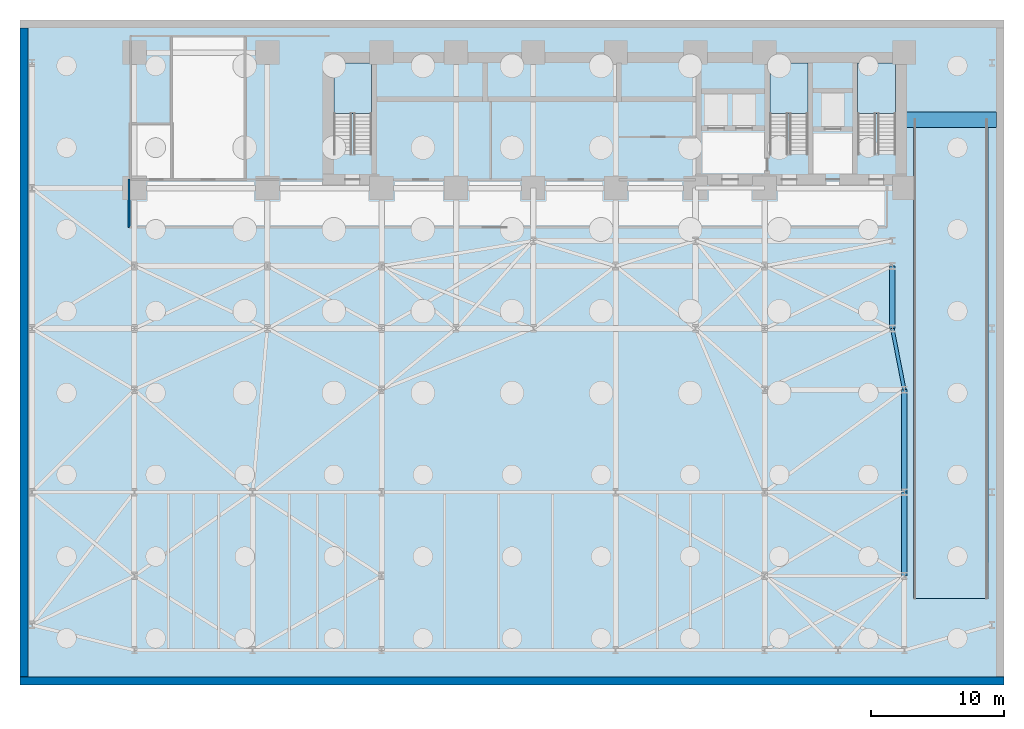
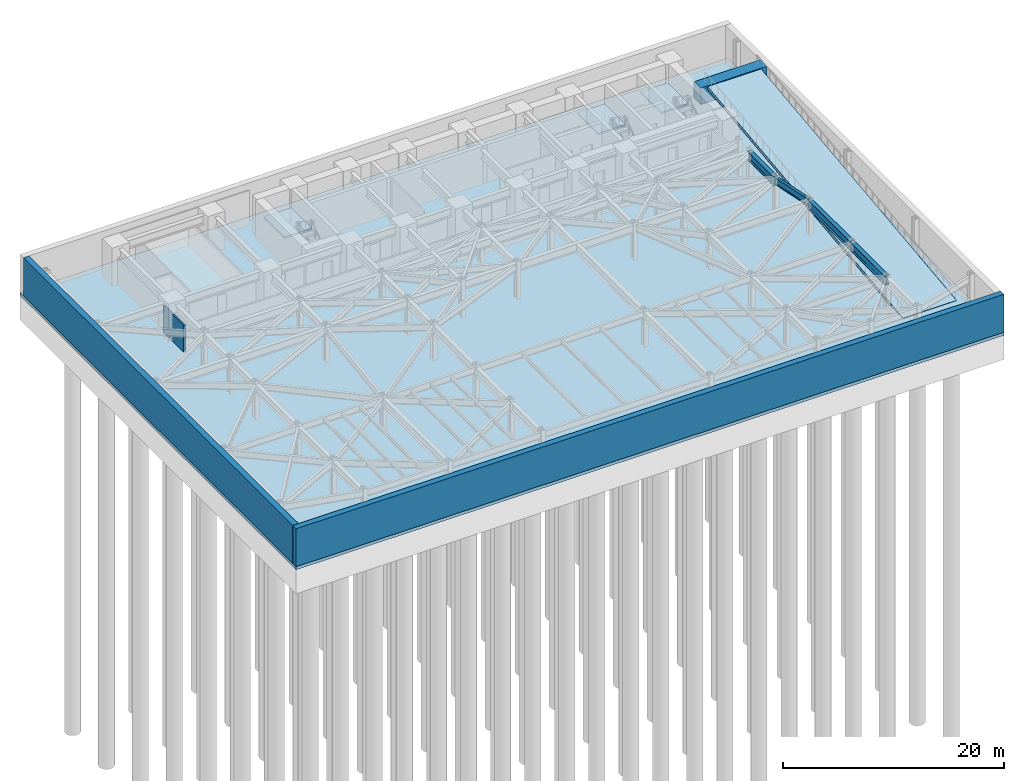
# One storey, part 4 of 12: 5 beams, 5 slabs, 3 walls, 3 elements without a shape of their own.
"""IFC4 building model written with IfcOpenShell, lengths in metres."""

from ifc_helpers import new_model, si_unit, direction, frame, frame_2d, origin, origin_2d, place, context, subcontext, project, spatial, polyline, rectangle, i_section, outline, extrude, material, layer, layer_set, material_profile, profile_set, type_object, element, aggregate, save


model = new_model("IFC4")

# Units and contexts
model_context = context("Model", 3, precision=1e-05, world=origin(), true_north=direction((0.0, 1.0)))
body_context = subcontext(model_context, "Body", "Model", "MODEL_VIEW")
ifc_project = project(units=[si_unit("LENGTHUNIT", "METRE"), si_unit("AREAUNIT", "SQUARE_METRE"), si_unit("VOLUMEUNIT", "CUBIC_METRE"), si_unit("PLANEANGLEUNIT", "RADIAN"), si_unit("MASSUNIT", "GRAM", prefix="KILO")], contexts=[model_context])

# Site, building, storey
site_placement = place(None, origin())
site = spatial("IfcSite", under=ifc_project, at=site_placement, CompositionType="ELEMENT")
building_placement = place(site_placement, origin())
building = spatial("IfcBuilding", under=site, at=building_placement, Name="Kravanh Interchange Tower", CompositionType="ELEMENT")
storey_placement = place(building_placement, frame((0.0, 0.0, -8.39990234375)))
storey = spatial("IfcBuildingStorey", under=building, at=storey_placement, Name="B2", CompositionType="ELEMENT", Elevation=-8.39990234375)

# Beams
ifc_material_1 = material(Name="Structural Steel S450", Category="steel")
ifc_material_profile_1 = material_profile(ifc_material_1, i_section(OverallWidth=0.423095703125, OverallDepth=0.947998046875, WebThickness=0.02392578125, FlangeThickness=0.042724609375, FilletRadius=0.028076171875, at=origin_2d()), Name="W36X302")
ifc_profile_set_1 = profile_set([ifc_material_profile_1], Name="Structural Steel S450")
beam_type_1 = type_object("IfcBeamType", Name="Floor Beam W36X302 Structural Steel S450", PredefinedType="BEAM", material=ifc_profile_set_1)
beam_1_placement = place(storey_placement, frame((66.5, 8.199951171875, 3.42578125), z_axis=(0.0, 1.0, 0.0), x_axis=(-1.0, 0.0, 0.0)))
element("IfcBeam", 1, at=beam_1_placement, inside=storey, type_object=beam_type_1, Name="B2 Primary Floor Girder 33", PredefinedType="BEAM", context=body_context, shape_type="SweptSolid", body=[
    extrude(i_section(OverallWidth=0.423095703125, OverallDepth=0.947998046875, WebThickness=0.02392578125, FlangeThickness=0.042724609375, FilletRadius=0.028076171875, at=origin_2d()), origin(), (0.0, 0.0, 1.0), 6.300048828125),
])
beam_2_placement = place(storey_placement, frame((66.5, 14.5, 3.42578125), z_axis=(0.0, 1.0, 0.0), x_axis=(-1.0, 0.0, 0.0)))
element("IfcBeam", 2, at=beam_2_placement, inside=storey, type_object=beam_type_1, Name="B2 Primary Floor Girder 54", PredefinedType="BEAM", context=body_context, shape_type="SweptSolid", body=[
    extrude(i_section(OverallWidth=0.423095703125, OverallDepth=0.947998046875, WebThickness=0.02392578125, FlangeThickness=0.042724609375, FilletRadius=0.028076171875, at=origin_2d()), origin(), (0.0, 0.0, 1.0), 7.699951171875),
])
beam_3_placement = place(storey_placement, frame((65.60009765625, 26.800048828125, 3.42578125), z_axis=(0.0, 1.0, 0.0), x_axis=(-1.0, 0.0, 0.0)))
element("IfcBeam", 3, at=beam_3_placement, inside=storey, type_object=beam_type_1, Name="B2 Primary Floor Girder 101", PredefinedType="BEAM", context=body_context, shape_type="SweptSolid", body=[
    extrude(i_section(OverallWidth=0.423095703125, OverallDepth=0.947998046875, WebThickness=0.02392578125, FlangeThickness=0.042724609375, FilletRadius=0.028076171875, at=origin_2d()), origin(), (0.0, 0.0, 1.0), 4.699951171875),
])
ifc_material_2 = material(Name="Structural Steel S355", Category="steel")
ifc_material_profile_2 = material_profile(ifc_material_2, i_section(OverallWidth=0.26708984375, OverallDepth=0.761962890625, WebThickness=0.014404296875, FlangeThickness=0.021484375, FilletRadius=0.02490234375, at=origin_2d()), Name="W30X116")
ifc_profile_set_2 = profile_set([ifc_material_profile_2], Name="Structural Steel S355")
beam_type_2 = type_object("IfcBeamType", Name="Floor Spandrel W30X116 Structural Steel S355", PredefinedType="SPANDREL", material=ifc_profile_set_2)
beam_4_placement = place(storey_placement, frame((66.5, 22.199951171875, 3.518798828125), z_axis=(-0.191987614224, 0.981397348674, 0.0), x_axis=(-0.981397348674, -0.191987614224, 0.0)))
element("IfcBeam", 4, at=beam_4_placement, inside=storey, type_object=beam_type_2, Name="B2 Perimeter Spandrel 69", PredefinedType="SPANDREL", context=body_context, shape_type="SweptSolid", body=[
    extrude(i_section(OverallWidth=0.26708984375, OverallDepth=0.761962890625, WebThickness=0.014404296875, FlangeThickness=0.021484375, FilletRadius=0.02490234375, at=origin_2d()), origin(), (0.0, 0.0, 1.0), 4.687255859375),
])
ifc_material_3 = material(Name="Concrete C70/85", Category="concrete")
ifc_material_profile_3 = material_profile(ifc_material_3, rectangle(XDim=1.199951171875, YDim=1.800048828125, at=origin_2d()), Name="TG1200X1800")
ifc_profile_set_3 = profile_set([ifc_material_profile_3], Name="Concrete C70/85")
beam_type_3 = type_object("IfcBeamType", Name="Transfer Girder TG1200X1800 Concrete C70/85", PredefinedType="BEAM", material=ifc_profile_set_3)
beam_5_placement = place(storey_placement, frame((66.5, 42.5, 3.2998046875), z_axis=(1.0, 0.0, 0.0), x_axis=(0.0, 1.0, 0.0)))
element("IfcBeam", 5, at=beam_5_placement, inside=storey, type_object=beam_type_3, Name="B1 Vehicle Ramp R1 Arrival Support Beam", PredefinedType="BEAM", context=body_context, shape_type="SweptSolid", body=[
    extrude(rectangle(XDim=1.199951171875, YDim=1.800048828125, at=origin_2d()), origin(), (0.0, 0.0, 1.0), 6.919921875),
])

# Slab
ifc_material_4 = material(Name="Concrete C60/75", Category="concrete")
ifc_layer_1 = layer(ifc_material_4, 0.35009765625)
ifc_layer_set_1 = layer_set([ifc_layer_1], Name="Basement Base Slab Concrete C60/75 350mm")
slab_type_1 = type_object("IfcSlabType", Name="Basement Base Slab Concrete C60/75 350mm", PredefinedType="BASESLAB", material=ifc_layer_set_1)
slab_1_placement = place(storey_placement, frame((0.0, 0.0, -0.35009765625)))
element("IfcSlab", 6, at=slab_1_placement, inside=storey, type_object=slab_type_1, Name="B2 Structural Floor Slab", PredefinedType="BASESLAB", context=body_context, shape_type="SweptSolid", body=[
    extrude(outline(polyline([(0.0, 0.0), (74.0, 0.0), (74.0, 50.0), (0.0, 50.0), (0.0, 0.0)]), holes=[polyline([(67.179931640625, 6.47998046875), (72.820068359375, 6.47998046875), (72.820068359375, 9.199951171875), (67.179931640625, 9.199951171875), (67.179931640625, 6.47998046875)])]), origin(), (0.0, 0.0, 1.0), 0.35009765625),
])

# Stair, slab
ifc_material_5 = material(Name="Concrete C50/60", Category="concrete")
stair_type = type_object("IfcStairType", Name="Core Fire Exit Dogleg Stair Concrete C50/60", PredefinedType="HALF_TURN_STAIR", material=ifc_material_5)
stair_1_placement = place(storey_placement, origin())
stair_1 = element("IfcStair", 7, at=stair_1_placement, inside=storey, type_object=stair_type, Name="B2 Exit Stair ST1", PredefinedType="HALF_TURN_STAIR")
ifc_material_6 = material(Name="Concrete C50/60", Category="concrete")
ifc_layer_2 = layer(ifc_material_6, 0.199951171875)
ifc_layer_set_2 = layer_set([ifc_layer_2], Name="Concrete C50/60 Stair Half-Landing Slab 200mm")
slab_type_2 = type_object("IfcSlabType", Name="Concrete C50/60 Stair Half-Landing Slab 200mm", PredefinedType="LANDING", material=ifc_layer_set_2)
slab_2_placement = place(storey_placement, frame((0.0, 0.0, 1.89990234375)))
slab_2 = element("IfcSlab", 8, at=slab_2_placement, type_object=slab_type_2, Name="ST1 landing 1", PredefinedType="LANDING", context=body_context, shape_type="SweptSolid", body=[
    extrude(outline(polyline([(65.85009765625, 42.97998046875), (65.85009765625, 46.75), (63.0, 46.75), (63.0, 42.97998046875), (65.85009765625, 42.97998046875)])), origin(), (0.0, 0.0, 1.0), 0.199951171875),
])
aggregate(stair_1, [slab_2])

stair_2_placement = place(storey_placement, origin())
stair_2 = element("IfcStair", 9, at=stair_2_placement, inside=storey, type_object=stair_type, Name="B2 Exit Stair ST2", PredefinedType="HALF_TURN_STAIR")
slab_3_placement = place(storey_placement, frame((0.0, 0.0, 1.89990234375)))
slab_3 = element("IfcSlab", 10, at=slab_3_placement, type_object=slab_type_2, Name="ST2 landing 1", PredefinedType="LANDING", context=body_context, shape_type="SweptSolid", body=[
    extrude(outline(polyline([(59.25, 42.97998046875), (59.25, 46.75), (56.39990234375, 46.75), (56.39990234375, 42.97998046875), (59.25, 42.97998046875)])), origin(), (0.0, 0.0, 1.0), 0.199951171875),
])
aggregate(stair_2, [slab_3])

stair_3_placement = place(storey_placement, origin())
stair_3 = element("IfcStair", 11, at=stair_3_placement, inside=storey, type_object=stair_type, Name="B2 Exit Stair ST3", PredefinedType="HALF_TURN_STAIR")
slab_4_placement = place(storey_placement, frame((0.0, 0.0, 1.89990234375)))
slab_4 = element("IfcSlab", 12, at=slab_4_placement, type_object=slab_type_2, Name="ST3 landing 1", PredefinedType="LANDING", context=body_context, shape_type="SweptSolid", body=[
    extrude(outline(polyline([(26.449951171875, 42.97998046875), (26.449951171875, 46.75), (23.60009765625, 46.75), (23.60009765625, 42.97998046875), (26.449951171875, 42.97998046875)])), origin(), (0.0, 0.0, 1.0), 0.199951171875),
])
aggregate(stair_3, [slab_4])

# Slab
ifc_material_7 = material(Name="Concrete C50/60", Category="concrete")
ifc_layer_3 = layer(ifc_material_7, 0.300048828125)
ifc_layer_set_3 = layer_set([ifc_layer_3], Name="Vehicle Ramp Structural Slab Concrete C50/60 300mm")
slab_type_3 = type_object("IfcSlabType", Name="Vehicle Ramp Structural Slab Concrete C50/60 300mm", PredefinedType="FLOOR", material=ifc_layer_set_3)
slab_5_placement = place(storey_placement, frame((67.199951171875, 6.5, 0.0), z_axis=(0.0, -0.115879370451, 0.993263294149), x_axis=(1.0, 0.0, 0.0)))
element("IfcSlab", 13, at=slab_5_placement, inside=storey, type_object=slab_type_3, Name="Car park vehicle ramp R1 structural slab (B2 to B1)", PredefinedType="FLOOR", context=body_context, shape_type="SweptSolid", body=[
    extrude(outline(polyline([(0.0, 0.0), (5.60009765625, 0.0), (5.60009765625, 36.24416628708866), (0.0, 36.24416628708866), (0.0, 0.0)])), origin(), (0.0, 0.0, -1.0), 0.300048828125),
])

# Walls
ifc_material_8 = material(Name="Concrete C60/75", Category="concrete")
ifc_layer_4 = layer(ifc_material_8, 0.60009765625)
ifc_layer_set_4 = layer_set([ifc_layer_4], Name="Basement Retaining Wall Concrete C60/75 600mm")
wall_type_1 = type_object("IfcWallType", Name="Basement Retaining Wall Concrete C60/75 600mm", PredefinedType="SOLIDWALL", material=ifc_layer_set_4)
wall_1_placement = place(storey_placement, frame((0.0, 0.300048828125, 0.0), z_axis=(0.0, 0.0, 1.0), x_axis=(1.0, 0.0, 0.0)))
element("IfcWall", 14, at=wall_1_placement, inside=storey, type_object=wall_type_1, Name="B2 Basement Retaining Wall S", PredefinedType="SOLIDWALL", context=body_context, shape_type="SweptSolid", body=[
    extrude(rectangle(XDim=74.0, YDim=0.60009765625, at=frame_2d((37.0, 0.0))), origin(), (0.0, 0.0, 1.0), 4.199951171875),
])
wall_2_placement = place(storey_placement, frame((0.300048828125, 0.6201171875, 0.0), z_axis=(0.0, 0.0, 1.0), x_axis=(0.0, 1.0, 0.0)))
element("IfcWall", 15, at=wall_2_placement, inside=storey, type_object=wall_type_1, Name="B2 Basement Retaining Wall W", PredefinedType="SOLIDWALL", context=body_context, shape_type="SweptSolid", body=[
    extrude(rectangle(XDim=48.759765625, YDim=0.60009765625, at=frame_2d((24.3798828125, 0.0))), origin(), (0.0, 0.0, 1.0), 4.199951171875),
])
ifc_material_9 = material(Name="Autoclaved Aerated Concrete C30/37 Blockwork", Category="masonry")
ifc_layer_5 = layer(ifc_material_9, 0.179931640625)
ifc_layer_set_5 = layer_set([ifc_layer_5], Name="Fire-Rated Lobby and Corridor Wall Concrete C30/37 180mm")
wall_type_2 = type_object("IfcWallType", Name="Fire-Rated Lobby and Corridor Wall Concrete C30/37 180mm", PredefinedType="STANDARD", material=ifc_layer_set_5)
wall_3_placement = place(storey_placement, frame((8.199951171875, 34.39990234375, 0.0), z_axis=(0.0, 0.0, 1.0), x_axis=(0.0, 1.0, 0.0)))
element("IfcWall", 16, at=wall_3_placement, inside=storey, type_object=wall_type_2, Name="B2 Interior Partition 6", PredefinedType="STANDARD", context=body_context, shape_type="SweptSolid", body=[
    extrude(rectangle(XDim=3.650146484375, YDim=0.179931640625, at=frame_2d((1.8251953125, 0.0))), origin(), (0.0, 0.0, 1.0), 2.951904296875),
])

save(model, "model.ifc")
